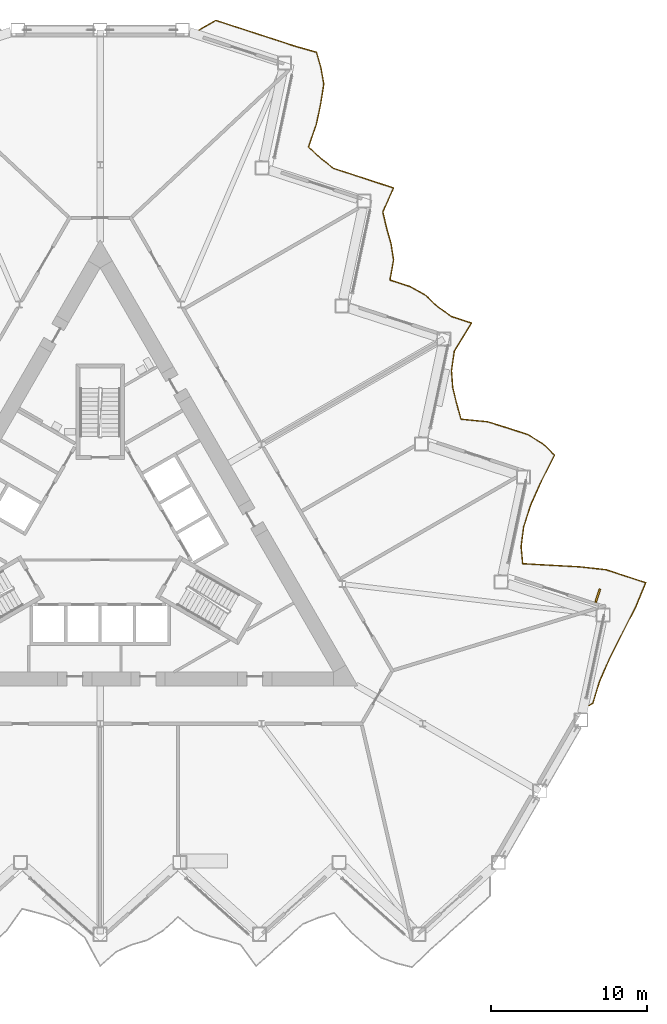
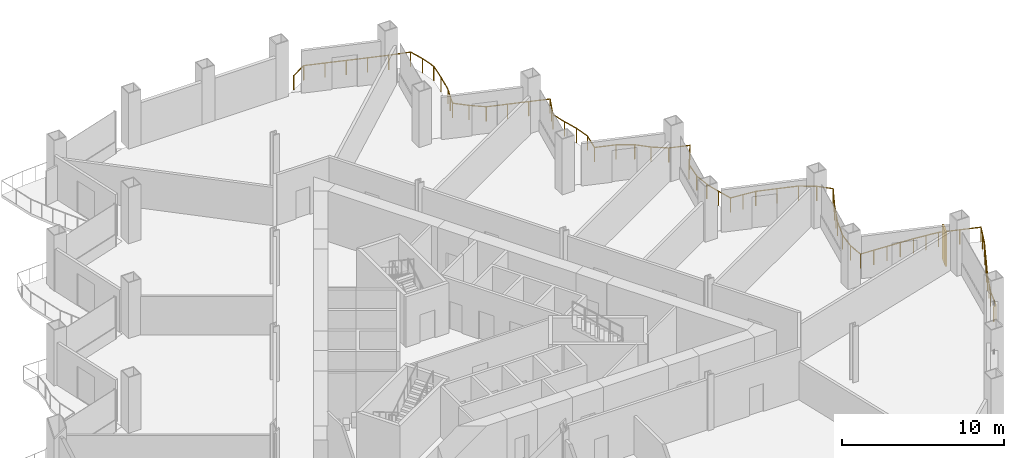
# One storey, part 19 of 21: 1 railing, 1 shading device.
"""IFC4 building model written with IfcOpenShell, lengths in metres."""

from ifc_helpers import new_model, si_unit, direction, frame, origin, origin_2d, place, context, subcontext, project, spatial, rectangle, circle, extrude, material, layer, layer_set, type_object, element, save


model = new_model("IFC4")

# Units and contexts
model_context = context("Model", 3, precision=1e-05, world=origin(), true_north=direction((0.0, 1.0)))
body_context = subcontext(model_context, "Body", "Model", "MODEL_VIEW")
ifc_project = project(units=[si_unit("LENGTHUNIT", "METRE"), si_unit("AREAUNIT", "SQUARE_METRE"), si_unit("VOLUMEUNIT", "CUBIC_METRE"), si_unit("PLANEANGLEUNIT", "RADIAN"), si_unit("MASSUNIT", "GRAM", prefix="KILO")], contexts=[model_context])

# Site, building, storey
site_placement = place(None, origin())
site = spatial("IfcSite", under=ifc_project, at=site_placement, CompositionType="ELEMENT")
building_placement = place(site_placement, origin())
building = spatial("IfcBuilding", under=site, at=building_placement, Name="Cormorant Prow Tower", CompositionType="ELEMENT")
storey_placement = place(building_placement, frame((0.0, 0.0, 99.60009765625)))
storey = spatial("IfcBuildingStorey", under=building, at=storey_placement, Name="L20", CompositionType="ELEMENT", Elevation=99.60009765625)

# Railing
ifc_material_1 = material(Name="Aluminium 6063-T6", Category="aluminium")
railing_type = type_object("IfcRailingType", Name="Balcony guard 1100", PredefinedType="GUARDRAIL", material=ifc_material_1)
railing_placement = place(storey_placement, frame((31.3046875, -10.75146484375, 0.0)))
element("IfcRailing", 1, at=railing_placement, inside=storey, type_object=railing_type, Name="Balcony guard ENE", PredefinedType="GUARDRAIL", context=body_context, shape_type="SweptSolid", body=[
    extrude(circle(Radius=0.02392578125, at=origin_2d()), frame((0.0, 0.0, 1.076171875), z_axis=(0.866065156741, 0.499931139538, 0.0), x_axis=(-0.499931139538, 0.866065156741, 0.0)), (0.0, 0.0, 1.0), 0.27001953125),
    extrude(circle(Radius=0.02392578125, at=origin_2d()), frame((0.23388671875, 0.135009765625, 1.076171875), z_axis=(0.291586651415, 0.95654441858, 0.0), x_axis=(-0.95654441858, 0.291586651415, 0.0)), (0.0, 0.0, 1.0), 1.462646484375),
    extrude(circle(Radius=0.02392578125, at=origin_2d()), frame((0.660400390625, 1.5341796875, 1.076171875), z_axis=(0.402985551478, 0.915206340286, 0.0), x_axis=(-0.915206340286, 0.402985551478, 0.0)), (0.0, 0.0, 1.0), 1.689697265625),
    extrude(circle(Radius=0.02392578125, at=origin_2d()), frame((1.34130859375, 3.08056640625, 1.076171875), z_axis=(0.452229833988, 0.891901439203, 0.0), x_axis=(-0.891901439203, 0.452229833988, 0.0)), (0.0, 0.0, 1.0), 1.827392578125),
    extrude(circle(Radius=0.02392578125, at=origin_2d()), frame((2.167724609375, 4.71044921875, 1.076171875), z_axis=(0.450957610167, 0.892545367941, 0.0), x_axis=(-0.892545367941, 0.450957610167, 0.0)), (0.0, 0.0, 1.0), 1.823974609375),
    extrude(circle(Radius=0.02392578125, at=origin_2d()), frame((2.990234375, 6.33837890625, 1.076171875), z_axis=(0.384509967116, 0.923120839971, 0.0), x_axis=(-0.923120839971, 0.384509967116, 0.0)), (0.0, 0.0, 1.0), 1.64453125),
    extrude(circle(Radius=0.02392578125, at=origin_2d()), frame((3.62255859375, 7.8564453125, 1.076171875), z_axis=(-0.951036739297, 0.309077855091, 0.0), x_axis=(-0.309077855091, -0.951036739297, 0.0)), (0.0, 0.0, 1.0), 1.343505859375),
    extrude(circle(Radius=0.02392578125, at=origin_2d()), frame((2.3447265625, 8.271728515625, 1.076171875), z_axis=(-0.951054092785, 0.309024453071, 0.0), x_axis=(-0.309024453071, -0.951054092785, 0.0)), (0.0, 0.0, 1.0), 1.34375),
    extrude(circle(Radius=0.02392578125, at=origin_2d()), frame((1.066650390625, 8.68701171875, 1.076171875), z_axis=(-0.993962910713, 0.109716599144, 0.0), x_axis=(-0.109716599144, -0.993962910713, 0.0)), (0.0, 0.0, 1.0), 1.686767578125),
    extrude(circle(Radius=0.02392578125, at=origin_2d()), frame((-0.60986328125, 8.8720703125, 1.076171875), z_axis=(-0.998583356738, 0.053209770211, 0.0), x_axis=(-0.053209770211, -0.998583356738, 0.0)), (0.0, 0.0, 1.0), 1.830810546875),
    extrude(circle(Radius=0.02392578125, at=origin_2d()), frame((-2.43798828125, 8.969482421875, 1.076171875), z_axis=(-0.998366091423, 0.057141469158, 0.0), x_axis=(-0.057141469158, -0.998366091423, 0.0)), (0.0, 0.0, 1.0), 1.820068359375),
    extrude(circle(Radius=0.02392578125, at=origin_2d()), frame((-4.255126953125, 9.073486328125, 1.076171875), z_axis=(-0.093340708693, 0.995634226059, 0.0), x_axis=(-0.995634226059, -0.093340708693, 0.0)), (0.0, 0.0, 1.0), 1.0986328125),
    extrude(circle(Radius=0.02392578125, at=origin_2d()), frame((-4.357666015625, 10.167236328125, 1.076171875), z_axis=(0.126668548306, 0.991945098718, 0.0), x_axis=(-0.991945098718, 0.126668548306, 0.0)), (0.0, 0.0, 1.0), 1.254638671875),
    extrude(circle(Radius=0.02392578125, at=origin_2d()), frame((-4.19873046875, 11.411865234375, 1.076171875), z_axis=(0.304912900692, 0.952380240761, 0.0), x_axis=(-0.952380240761, 0.304912900692, 0.0)), (0.0, 0.0, 1.0), 1.4853515625),
    extrude(circle(Radius=0.02392578125, at=origin_2d()), frame((-3.745849609375, 12.826416015625, 1.076171875), z_axis=(0.409995981675, 0.91208732861, 0.0), x_axis=(-0.91208732861, 0.409995981675, 0.0)), (0.0, 0.0, 1.0), 1.707275390625),
    extrude(circle(Radius=0.02392578125, at=origin_2d()), frame((-3.0458984375, 14.383544921875, 1.076171875), z_axis=(0.453965678314, 0.891019170901, 0.0), x_axis=(-0.891019170901, 0.453965678314, 0.0)), (0.0, 0.0, 1.0), 1.833251953125),
    extrude(circle(Radius=0.02392578125, at=origin_2d()), frame((-2.213623046875, 16.01708984375, 1.076171875), z_axis=(-0.716108936136, 0.69798853256, 0.0), x_axis=(-0.69798853256, -0.716108936136, 0.0)), (0.0, 0.0, 1.0), 1.037353515625),
    extrude(circle(Radius=0.02392578125, at=origin_2d()), frame((-2.95654296875, 16.7412109375, 1.076171875), z_axis=(-0.852968410434, 0.521962537737, 0.0), x_axis=(-0.521962537737, -0.852968410434, 0.0)), (0.0, 0.0, 1.0), 1.13671875),
    extrude(circle(Radius=0.02392578125, at=origin_2d()), frame((-3.926025390625, 17.33447265625, 1.076171875), z_axis=(-0.951036739297, 0.309077855091, 0.0), x_axis=(-0.309077855091, -0.951036739297, 0.0)), (0.0, 0.0, 1.0), 1.343505859375),
    extrude(circle(Radius=0.02392578125, at=origin_2d()), frame((-5.203857421875, 17.749755859375, 1.076171875), z_axis=(-0.954200907725, 0.29916655511, 0.0), x_axis=(-0.29916655511, -0.954200907725, 0.0)), (0.0, 0.0, 1.0), 1.356201171875),
    extrude(circle(Radius=0.02392578125, at=origin_2d()), frame((-6.498046875, 18.155517578125, 1.076171875), z_axis=(-0.995238003396, 0.097474697216, 0.0), x_axis=(-0.097474697216, -0.995238003396, 0.0)), (0.0, 0.0, 1.0), 1.715576171875),
    extrude(circle(Radius=0.02392578125, at=origin_2d()), frame((-8.20556640625, 18.32275390625, 1.076171875), z_axis=(-0.267802620722, 0.963473796392, 0.0), x_axis=(-0.963473796392, -0.267802620722, 0.0)), (0.0, 0.0, 1.0), 1.031005859375),
    extrude(circle(Radius=0.02392578125, at=origin_2d()), frame((-8.481689453125, 19.316162109375, 1.076171875), z_axis=(-0.241816729788, 0.970321941005, 0.0), x_axis=(-0.970321941005, -0.241816729788, 0.0)), (0.0, 0.0, 1.0), 1.038818359375),
    extrude(circle(Radius=0.02392578125, at=origin_2d()), frame((-8.73291015625, 20.32421875, 1.076171875), z_axis=(-0.073750047169, 0.997276757246, 0.0), x_axis=(-0.997276757246, -0.073750047169, 0.0)), (0.0, 0.0, 1.0), 1.10888671875),
    extrude(circle(Radius=0.02392578125, at=origin_2d()), frame((-8.814697265625, 21.43017578125, 1.076171875), z_axis=(0.14587475926, 0.989303065097, 0.0), x_axis=(-0.989303065097, 0.14587475926, 0.0)), (0.0, 0.0, 1.0), 1.273681640625),
    extrude(circle(Radius=0.02392578125, at=origin_2d()), frame((-8.62890625, 22.690185546875, 1.076171875), z_axis=(0.523271935996, 0.85216575911, 0.0), x_axis=(-0.85216575911, 0.523271935996, 0.0)), (0.0, 0.0, 1.0), 2.09619140625),
    extrude(circle(Radius=0.02392578125, at=origin_2d()), frame((-7.531982421875, 24.4765625, 1.076171875), z_axis=(-0.951036739297, 0.309077855091, 0.0), x_axis=(-0.309077855091, -0.951036739297, 0.0)), (0.0, 0.0, 1.0), 1.343505859375),
    extrude(circle(Radius=0.02392578125, at=origin_2d()), frame((-8.809814453125, 24.891845703125, 1.076171875), z_axis=(-0.817686528854, 0.575663739114, 0.0), x_axis=(-0.575663739114, -0.817686528854, 0.0)), (0.0, 0.0, 1.0), 1.1005859375),
    extrude(circle(Radius=0.02392578125, at=origin_2d()), frame((-9.709716796875, 25.525390625, 1.076171875), z_axis=(-0.722886478011, 0.690966815346, 0.0), x_axis=(-0.690966815346, -0.722886478011, 0.0)), (0.0, 0.0, 1.0), 1.040283203125),
    extrude(circle(Radius=0.02392578125, at=origin_2d()), frame((-10.461669921875, 26.244140625, 1.076171875), z_axis=(-0.872046754609, 0.489422575875, 0.0), x_axis=(-0.489422575875, -0.872046754609, 0.0)), (0.0, 0.0, 1.0), 1.161376953125),
    extrude(circle(Radius=0.02392578125, at=origin_2d()), frame((-11.474365234375, 26.8125, 1.076171875), z_axis=(-0.951036739297, 0.309077855091, 0.0), x_axis=(-0.309077855091, -0.951036739297, 0.0)), (0.0, 0.0, 1.0), 1.343505859375),
    extrude(circle(Radius=0.02392578125, at=origin_2d()), frame((-12.752197265625, 27.227783203125, 1.076171875), z_axis=(0.177521838978, 0.984116861295, 0.0), x_axis=(-0.984116861295, 0.177521838978, 0.0)), (0.0, 0.0, 1.0), 1.307861328125),
    extrude(circle(Radius=0.02392578125, at=origin_2d()), frame((-12.52001953125, 28.514892578125, 1.076171875), z_axis=(-0.156619077903, 0.987659083103, 0.0), x_axis=(-0.987659083103, -0.156619077903, 0.0)), (0.0, 0.0, 1.0), 1.0693359375),
    extrude(circle(Radius=0.02392578125, at=origin_2d()), frame((-12.6875, 29.571044921875, 1.076171875), z_axis=(-0.272310045674, 0.962209560868, 0.0), x_axis=(-0.962209560868, -0.272310045674, 0.0)), (0.0, 0.0, 1.0), 1.030029296875),
    extrude(circle(Radius=0.02392578125, at=origin_2d()), frame((-12.968017578125, 30.562255859375, 1.076171875), z_axis=(-0.231493819371, 0.972836374522, 0.0), x_axis=(-0.972836374522, -0.231493819371, 0.0)), (0.0, 0.0, 1.0), 1.0419921875),
    extrude(circle(Radius=0.02392578125, at=origin_2d()), frame((-13.209228515625, 31.575927734375, 1.076171875), z_axis=(0.404371477614, 0.914594832749, 0.0), x_axis=(-0.914594832749, 0.404371477614, 0.0)), (0.0, 0.0, 1.0), 1.69287109375),
    extrude(circle(Radius=0.02392578125, at=origin_2d()), frame((-12.524658203125, 33.124267578125, 1.076171875), z_axis=(-0.951036739297, 0.309077855091, 0.0), x_axis=(-0.309077855091, -0.951036739297, 0.0)), (0.0, 0.0, 1.0), 1.343505859375),
    extrude(circle(Radius=0.02392578125, at=origin_2d()), frame((-13.802490234375, 33.53955078125, 1.076171875), z_axis=(-0.951107474865, 0.308860116002, 0.0), x_axis=(-0.308860116002, -0.951107474865, 0.0)), (0.0, 0.0, 1.0), 1.34375),
    extrude(circle(Radius=0.02392578125, at=origin_2d()), frame((-15.08056640625, 33.95458984375, 1.076171875), z_axis=(-0.951036739297, 0.309077855091, 0.0), x_axis=(-0.309077855091, -0.951036739297, 0.0)), (0.0, 0.0, 1.0), 1.343505859375),
    extrude(circle(Radius=0.02392578125, at=origin_2d()), frame((-16.3583984375, 34.369873046875, 1.076171875), z_axis=(-0.787332652632, 0.616528421162, 0.0), x_axis=(-0.616528421162, -0.787332652632, 0.0)), (0.0, 0.0, 1.0), 1.076416015625),
    extrude(circle(Radius=0.02392578125, at=origin_2d()), frame((-17.205810546875, 35.033447265625, 1.076171875), z_axis=(-0.730783032456, 0.682609814956, 0.0), x_axis=(-0.682609814956, -0.730783032456, 0.0)), (0.0, 0.0, 1.0), 1.0439453125),
    extrude(circle(Radius=0.02392578125, at=origin_2d()), frame((-17.96875, 35.74609375, 1.076171875), z_axis=(0.329183396465, 0.944266006744, 0.0), x_axis=(-0.944266006744, 0.329183396465, 0.0)), (0.0, 0.0, 1.0), 1.528564453125),
    extrude(circle(Radius=0.02392578125, at=origin_2d()), frame((-17.465576171875, 37.189453125, 1.076171875), z_axis=(0.207841372786, 0.978162544651, 0.0), x_axis=(-0.978162544651, 0.207841372786, 0.0)), (0.0, 0.0, 1.0), 1.34375),
    extrude(circle(Radius=0.02392578125, at=origin_2d()), frame((-17.186279296875, 38.50390625, 1.076171875), z_axis=(0.1553863186, 0.987853780674, 0.0), x_axis=(-0.987853780674, 0.1553863186, 0.0)), (0.0, 0.0, 1.0), 1.28369140625),
    extrude(circle(Radius=0.02392578125, at=origin_2d()), frame((-16.98681640625, 39.77197265625, 1.076171875), z_axis=(-0.172959761009, 0.984928891378, 0.0), x_axis=(-0.984928891378, -0.172959761009, 0.0)), (0.0, 0.0, 1.0), 1.06298828125),
    extrude(circle(Radius=0.02392578125, at=origin_2d()), frame((-17.170654296875, 40.81884765625, 1.076171875), z_axis=(-0.275378933409, 0.961335759781, 0.0), x_axis=(-0.961335759781, -0.275378933409, 0.0)), (0.0, 0.0, 1.0), 1.029296875),
    extrude(circle(Radius=0.02392578125, at=origin_2d()), frame((-17.4541015625, 41.808349609375, 1.076171875), z_axis=(-0.962372173334, 0.271734797168, 0.0), x_axis=(-0.271734797168, -0.962372173334, 0.0)), (0.0, 0.0, 1.0), 1.3935546875),
    extrude(circle(Radius=0.02392578125, at=origin_2d()), frame((-18.795166015625, 42.18701171875, 1.076171875), z_axis=(-0.951036739297, 0.309077855091, 0.0), x_axis=(-0.309077855091, -0.951036739297, 0.0)), (0.0, 0.0, 1.0), 1.343505859375),
    extrude(circle(Radius=0.02392578125, at=origin_2d()), frame((-20.072998046875, 42.602294921875, 1.076171875), z_axis=(-0.951054092785, 0.309024453071, 0.0), x_axis=(-0.309024453071, -0.951054092785, 0.0)), (0.0, 0.0, 1.0), 1.34375),
    extrude(circle(Radius=0.02392578125, at=origin_2d()), frame((-21.35107421875, 43.017578125, 1.076171875), z_axis=(-0.951090138855, 0.308913495616, 0.0), x_axis=(-0.308913495616, -0.951090138855, 0.0)), (0.0, 0.0, 1.0), 1.343505859375),
    extrude(circle(Radius=0.02392578125, at=origin_2d()), frame((-22.62890625, 43.4326171875, 1.076171875), z_axis=(-0.951036739297, 0.309077855091, 0.0), x_axis=(-0.309077855091, -0.951036739297, 0.0)), (0.0, 0.0, 1.0), 1.343505859375),
    extrude(circle(Radius=0.02392578125, at=origin_2d()), frame((-23.90673828125, 43.847900390625, 1.076171875), z_axis=(-0.866005645448, -0.500034220881, 0.0), x_axis=(0.500034220881, -0.866005645448, 0.0)), (0.0, 0.0, 1.0), 1.22021484375),
    extrude(circle(Radius=0.02099609375, at=origin_2d()), origin(), (0.0, 0.0, 1.0), 1.052001953125),
    extrude(circle(Radius=0.02099609375, at=origin_2d()), frame((0.23388671875, 0.135009765625, 0.0)), (0.0, 0.0, 1.0), 1.052001953125),
    extrude(circle(Radius=0.02099609375, at=origin_2d()), frame((0.660400390625, 1.5341796875, 0.0)), (0.0, 0.0, 1.0), 1.052001953125),
    extrude(circle(Radius=0.02099609375, at=origin_2d()), frame((1.0009765625, 2.307373046875, 0.0)), (0.0, 0.0, 1.0), 1.052001953125),
    extrude(circle(Radius=0.02099609375, at=origin_2d()), frame((1.34130859375, 3.08056640625, 0.0)), (0.0, 0.0, 1.0), 1.052001953125),
    extrude(circle(Radius=0.02099609375, at=origin_2d()), frame((1.75439453125, 3.8955078125, 0.0)), (0.0, 0.0, 1.0), 1.052001953125),
    extrude(circle(Radius=0.02099609375, at=origin_2d()), frame((2.167724609375, 4.71044921875, 0.0)), (0.0, 0.0, 1.0), 1.052001953125),
    extrude(circle(Radius=0.02099609375, at=origin_2d()), frame((2.5791015625, 5.5244140625, 0.0)), (0.0, 0.0, 1.0), 1.052001953125),
    extrude(circle(Radius=0.02099609375, at=origin_2d()), frame((2.990234375, 6.33837890625, 0.0)), (0.0, 0.0, 1.0), 1.052001953125),
    extrude(circle(Radius=0.02099609375, at=origin_2d()), frame((3.306396484375, 7.097412109375, 0.0)), (0.0, 0.0, 1.0), 1.052001953125),
    extrude(circle(Radius=0.02099609375, at=origin_2d()), frame((3.62255859375, 7.8564453125, 0.0)), (0.0, 0.0, 1.0), 1.052001953125),
    extrude(circle(Radius=0.02099609375, at=origin_2d()), frame((2.3447265625, 8.271728515625, 0.0)), (0.0, 0.0, 1.0), 1.052001953125),
    extrude(circle(Radius=0.02099609375, at=origin_2d()), frame((1.066650390625, 8.68701171875, 0.0)), (0.0, 0.0, 1.0), 1.052001953125),
    extrude(circle(Radius=0.02099609375, at=origin_2d()), frame((0.228515625, 8.779541015625, 0.0)), (0.0, 0.0, 1.0), 1.052001953125),
    extrude(circle(Radius=0.02099609375, at=origin_2d()), frame((-0.60986328125, 8.8720703125, 0.0)), (0.0, 0.0, 1.0), 1.052001953125),
    extrude(circle(Radius=0.02099609375, at=origin_2d()), frame((-1.52392578125, 8.9208984375, 0.0)), (0.0, 0.0, 1.0), 1.052001953125),
    extrude(circle(Radius=0.02099609375, at=origin_2d()), frame((-2.43798828125, 8.969482421875, 0.0)), (0.0, 0.0, 1.0), 1.052001953125),
    extrude(circle(Radius=0.02099609375, at=origin_2d()), frame((-3.3466796875, 9.021484375, 0.0)), (0.0, 0.0, 1.0), 1.052001953125),
    extrude(circle(Radius=0.02099609375, at=origin_2d()), frame((-4.255126953125, 9.073486328125, 0.0)), (0.0, 0.0, 1.0), 1.052001953125),
    extrude(circle(Radius=0.02099609375, at=origin_2d()), frame((-4.357666015625, 10.167236328125, 0.0)), (0.0, 0.0, 1.0), 1.052001953125),
    extrude(circle(Radius=0.02099609375, at=origin_2d()), frame((-4.19873046875, 11.411865234375, 0.0)), (0.0, 0.0, 1.0), 1.052001953125),
    extrude(circle(Radius=0.02099609375, at=origin_2d()), frame((-3.745849609375, 12.826416015625, 0.0)), (0.0, 0.0, 1.0), 1.052001953125),
    extrude(circle(Radius=0.02099609375, at=origin_2d()), frame((-3.39599609375, 13.60498046875, 0.0)), (0.0, 0.0, 1.0), 1.052001953125),
    extrude(circle(Radius=0.02099609375, at=origin_2d()), frame((-3.0458984375, 14.383544921875, 0.0)), (0.0, 0.0, 1.0), 1.052001953125),
    extrude(circle(Radius=0.02099609375, at=origin_2d()), frame((-2.6298828125, 15.2001953125, 0.0)), (0.0, 0.0, 1.0), 1.052001953125),
    extrude(circle(Radius=0.02099609375, at=origin_2d()), frame((-2.213623046875, 16.01708984375, 0.0)), (0.0, 0.0, 1.0), 1.052001953125),
    extrude(circle(Radius=0.02099609375, at=origin_2d()), frame((-2.95654296875, 16.7412109375, 0.0)), (0.0, 0.0, 1.0), 1.052001953125),
    extrude(circle(Radius=0.02099609375, at=origin_2d()), frame((-3.926025390625, 17.33447265625, 0.0)), (0.0, 0.0, 1.0), 1.052001953125),
    extrude(circle(Radius=0.02099609375, at=origin_2d()), frame((-5.203857421875, 17.749755859375, 0.0)), (0.0, 0.0, 1.0), 1.052001953125),
    extrude(circle(Radius=0.02099609375, at=origin_2d()), frame((-6.498046875, 18.155517578125, 0.0)), (0.0, 0.0, 1.0), 1.052001953125),
    extrude(circle(Radius=0.02099609375, at=origin_2d()), frame((-7.351806640625, 18.2392578125, 0.0)), (0.0, 0.0, 1.0), 1.052001953125),
    extrude(circle(Radius=0.02099609375, at=origin_2d()), frame((-8.20556640625, 18.32275390625, 0.0)), (0.0, 0.0, 1.0), 1.052001953125),
    extrude(circle(Radius=0.02099609375, at=origin_2d()), frame((-8.481689453125, 19.316162109375, 0.0)), (0.0, 0.0, 1.0), 1.052001953125),
    extrude(circle(Radius=0.02099609375, at=origin_2d()), frame((-8.73291015625, 20.32421875, 0.0)), (0.0, 0.0, 1.0), 1.052001953125),
    extrude(circle(Radius=0.02099609375, at=origin_2d()), frame((-8.814697265625, 21.43017578125, 0.0)), (0.0, 0.0, 1.0), 1.052001953125),
    extrude(circle(Radius=0.02099609375, at=origin_2d()), frame((-8.62890625, 22.690185546875, 0.0)), (0.0, 0.0, 1.0), 1.052001953125),
    extrude(circle(Radius=0.02099609375, at=origin_2d()), frame((-8.08056640625, 23.58349609375, 0.0)), (0.0, 0.0, 1.0), 1.052001953125),
    extrude(circle(Radius=0.02099609375, at=origin_2d()), frame((-7.531982421875, 24.4765625, 0.0)), (0.0, 0.0, 1.0), 1.052001953125),
    extrude(circle(Radius=0.02099609375, at=origin_2d()), frame((-8.809814453125, 24.891845703125, 0.0)), (0.0, 0.0, 1.0), 1.052001953125),
    extrude(circle(Radius=0.02099609375, at=origin_2d()), frame((-9.709716796875, 25.525390625, 0.0)), (0.0, 0.0, 1.0), 1.052001953125),
    extrude(circle(Radius=0.02099609375, at=origin_2d()), frame((-10.461669921875, 26.244140625, 0.0)), (0.0, 0.0, 1.0), 1.052001953125),
    extrude(circle(Radius=0.02099609375, at=origin_2d()), frame((-11.474365234375, 26.8125, 0.0)), (0.0, 0.0, 1.0), 1.052001953125),
    extrude(circle(Radius=0.02099609375, at=origin_2d()), frame((-12.752197265625, 27.227783203125, 0.0)), (0.0, 0.0, 1.0), 1.052001953125),
    extrude(circle(Radius=0.02099609375, at=origin_2d()), frame((-12.52001953125, 28.514892578125, 0.0)), (0.0, 0.0, 1.0), 1.052001953125),
    extrude(circle(Radius=0.02099609375, at=origin_2d()), frame((-12.6875, 29.571044921875, 0.0)), (0.0, 0.0, 1.0), 1.052001953125),
    extrude(circle(Radius=0.02099609375, at=origin_2d()), frame((-12.968017578125, 30.562255859375, 0.0)), (0.0, 0.0, 1.0), 1.052001953125),
    extrude(circle(Radius=0.02099609375, at=origin_2d()), frame((-13.209228515625, 31.575927734375, 0.0)), (0.0, 0.0, 1.0), 1.052001953125),
    extrude(circle(Radius=0.02099609375, at=origin_2d()), frame((-12.866943359375, 32.35009765625, 0.0)), (0.0, 0.0, 1.0), 1.052001953125),
    extrude(circle(Radius=0.02099609375, at=origin_2d()), frame((-12.524658203125, 33.124267578125, 0.0)), (0.0, 0.0, 1.0), 1.052001953125),
    extrude(circle(Radius=0.02099609375, at=origin_2d()), frame((-13.802490234375, 33.53955078125, 0.0)), (0.0, 0.0, 1.0), 1.052001953125),
    extrude(circle(Radius=0.02099609375, at=origin_2d()), frame((-15.08056640625, 33.95458984375, 0.0)), (0.0, 0.0, 1.0), 1.052001953125),
    extrude(circle(Radius=0.02099609375, at=origin_2d()), frame((-16.3583984375, 34.369873046875, 0.0)), (0.0, 0.0, 1.0), 1.052001953125),
    extrude(circle(Radius=0.02099609375, at=origin_2d()), frame((-17.205810546875, 35.033447265625, 0.0)), (0.0, 0.0, 1.0), 1.052001953125),
    extrude(circle(Radius=0.02099609375, at=origin_2d()), frame((-17.96875, 35.74609375, 0.0)), (0.0, 0.0, 1.0), 1.052001953125),
    extrude(circle(Radius=0.02099609375, at=origin_2d()), frame((-17.71728515625, 36.4677734375, 0.0)), (0.0, 0.0, 1.0), 1.052001953125),
    extrude(circle(Radius=0.02099609375, at=origin_2d()), frame((-17.465576171875, 37.189453125, 0.0)), (0.0, 0.0, 1.0), 1.052001953125),
    extrude(circle(Radius=0.02099609375, at=origin_2d()), frame((-17.186279296875, 38.50390625, 0.0)), (0.0, 0.0, 1.0), 1.052001953125),
    extrude(circle(Radius=0.02099609375, at=origin_2d()), frame((-16.98681640625, 39.77197265625, 0.0)), (0.0, 0.0, 1.0), 1.052001953125),
    extrude(circle(Radius=0.02099609375, at=origin_2d()), frame((-17.170654296875, 40.81884765625, 0.0)), (0.0, 0.0, 1.0), 1.052001953125),
    extrude(circle(Radius=0.02099609375, at=origin_2d()), frame((-17.4541015625, 41.808349609375, 0.0)), (0.0, 0.0, 1.0), 1.052001953125),
    extrude(circle(Radius=0.02099609375, at=origin_2d()), frame((-18.795166015625, 42.18701171875, 0.0)), (0.0, 0.0, 1.0), 1.052001953125),
    extrude(circle(Radius=0.02099609375, at=origin_2d()), frame((-20.072998046875, 42.602294921875, 0.0)), (0.0, 0.0, 1.0), 1.052001953125),
    extrude(circle(Radius=0.02099609375, at=origin_2d()), frame((-21.35107421875, 43.017578125, 0.0)), (0.0, 0.0, 1.0), 1.052001953125),
    extrude(circle(Radius=0.02099609375, at=origin_2d()), frame((-22.62890625, 43.4326171875, 0.0)), (0.0, 0.0, 1.0), 1.052001953125),
    extrude(circle(Radius=0.02099609375, at=origin_2d()), frame((-23.90673828125, 43.847900390625, 0.0)), (0.0, 0.0, 1.0), 1.052001953125),
    extrude(circle(Radius=0.02099609375, at=origin_2d()), frame((-24.96337890625, 43.23779296875, 0.0)), (0.0, 0.0, 1.0), 1.052001953125),
])

# Shading device
ifc_material_2 = material(Name="Terracotta", Category="masonry")
ifc_layer = layer(ifc_material_2, 0.1201171875)
ifc_layer_set = layer_set([ifc_layer], Name="Terracotta")
shading_device_type = type_object("IfcShadingDeviceType", Name="Terracotta baguette fin 120x900x2600", PredefinedType="USERDEFINED", material=ifc_layer_set)
shading_device_placement = place(storey_placement, frame((31.849609375, -3.726806640625, -0.000244140625), z_axis=(0.0, 0.0, 1.0), x_axis=(-0.951056535959, 0.309016933855, 0.0)))
element("IfcShadingDevice", 2, at=shading_device_placement, inside=storey, type_object=shading_device_type, Name="Baguette fin ENE01", ObjectType="BAGUETTE", PredefinedType="USERDEFINED", context=body_context, shape_type="SweptSolid", body=[
    extrude(rectangle(XDim=0.1201171875, YDim=0.89990234375, at=origin_2d()), origin(), (0.0, 0.0, 1.0), 2.60009765625),
])

save(model, "model.ifc")
